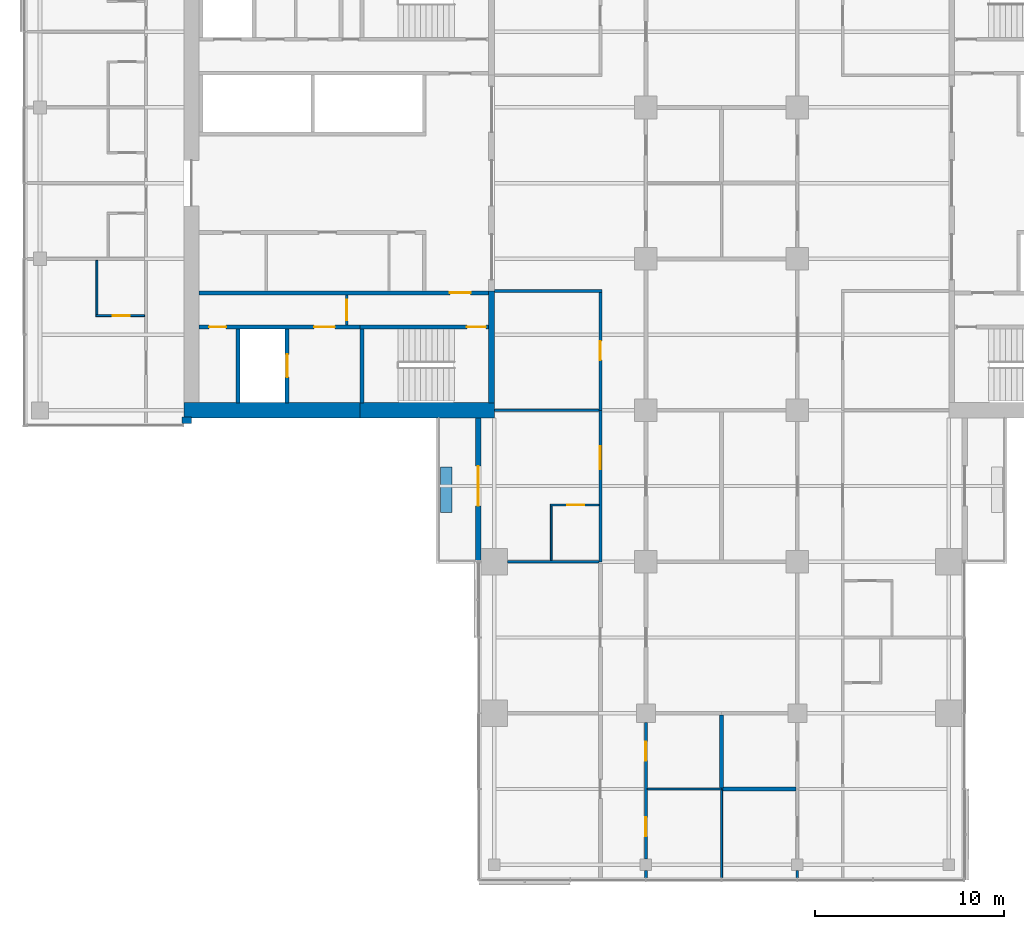
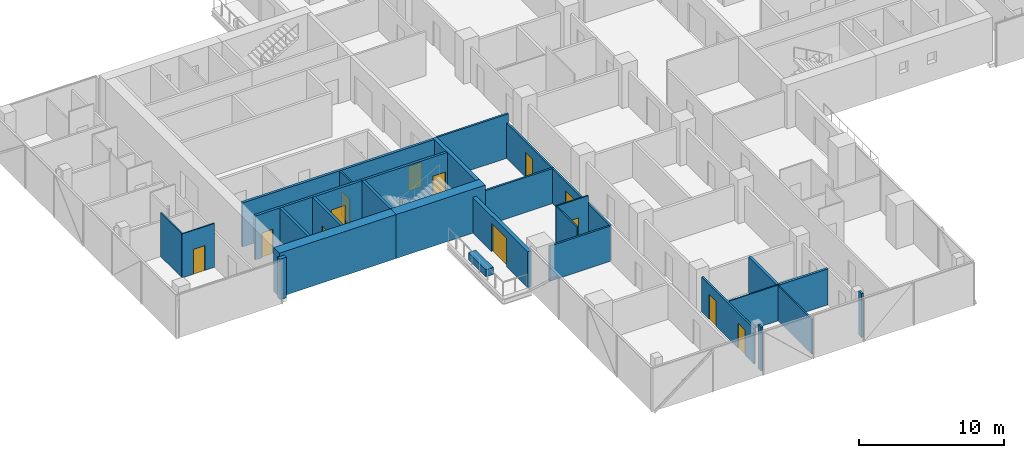
# One storey, part 15 of 27: 29 walls, 13 doors, 13 openings.
"""IFC4 building model written with IfcOpenShell, lengths in metres."""

from ifc_helpers import new_model, si_unit, direction, frame, frame_2d, origin, place, context, subcontext, project, spatial, rectangle, extrude, material, layer, layer_set, constituent, constituent_set, type_object, element, fill, save


model = new_model("IFC4")

# Units and contexts
model_context = context("Model", 3, precision=1e-05, world=origin(), true_north=direction((0.0, 1.0)))
body_context = subcontext(model_context, "Body", "Model", "MODEL_VIEW")
ifc_project = project(units=[si_unit("LENGTHUNIT", "METRE"), si_unit("AREAUNIT", "SQUARE_METRE"), si_unit("VOLUMEUNIT", "CUBIC_METRE"), si_unit("PLANEANGLEUNIT", "RADIAN"), si_unit("MASSUNIT", "GRAM", prefix="KILO")], contexts=[model_context])

# Site, building, storey
site_placement = place(None, origin())
site = spatial("IfcSite", under=ifc_project, at=site_placement, CompositionType="ELEMENT")
building_placement = place(site_placement, origin())
building = spatial("IfcBuilding", under=site, at=building_placement, Name="Crosswind Convention Tower", CompositionType="ELEMENT")
storey_placement = place(building_placement, frame((0.0, 0.0, 86.800048828125)))
storey = spatial("IfcBuildingStorey", under=building, at=storey_placement, Name="L16", CompositionType="ELEMENT", Elevation=86.800048828125)

# Walls
ifc_material_1 = material(Name="Concrete blockwork", Category="masonry")
ifc_layer_1 = layer(ifc_material_1, 0.199951171875)
ifc_layer_set_1 = layer_set([ifc_layer_1], Name="COMPARTMENT WALL 200")
wall_type_1 = type_object("IfcWallType", Name="COMPARTMENT WALL 200", PredefinedType="SOLIDWALL", material=ifc_layer_set_1)
wall_1_placement = place(storey_placement, frame((125.0, 68.0, 0.0), z_axis=(0.0, 0.0, 1.0), x_axis=(1.0, 0.0, 0.0)))
element("IfcWall", 1, at=wall_1_placement, inside=storey, type_object=wall_type_1, Name="Compartment Wall 2", PredefinedType="SOLIDWALL", context=body_context, shape_type="SweptSolid", body=[
    extrude(rectangle(XDim=3.925048828125, YDim=0.199951171875, at=frame_2d((1.96240234375, 0.0))), origin(), (0.0, 0.0, 1.0), 3.013671875),
])
wall_2_placement = place(storey_placement, frame((125.0, 68.050048828125, 0.0), z_axis=(0.0, 0.0, 1.0), x_axis=(0.0, 1.0, 0.0)))
element("IfcWall", 2, at=wall_2_placement, inside=storey, type_object=wall_type_1, Name="Compartment Wall 95", PredefinedType="SOLIDWALL", context=body_context, shape_type="SweptSolid", body=[
    extrude(rectangle(XDim=3.849853515625, YDim=0.199951171875, at=frame_2d((1.9248046875, 0.0))), origin(), (0.0, 0.0, 1.0), 3.013671875),
])
ifc_material_2 = material(Name="Plasterboard partition", Category="gypsum")
ifc_layer_2 = layer(ifc_material_2, 0.14990234375)
ifc_layer_set_2 = layer_set([ifc_layer_2], Name="CORRIDOR WALL 150")
wall_type_2 = type_object("IfcWallType", Name="CORRIDOR WALL 150", PredefinedType="PARTITIONING", material=ifc_layer_set_2)
wall_3_placement = place(storey_placement, frame((113.0, 94.300048828125, 0.0), z_axis=(0.0, 0.0, 1.0), x_axis=(1.0, 0.0, 0.0)))
element("IfcWall", 3, at=wall_3_placement, inside=storey, type_object=wall_type_2, Name="Corridor Wall 18", PredefinedType="PARTITIONING", context=body_context, shape_type="SweptSolid", body=[
    extrude(rectangle(XDim=5.675048828125, YDim=0.14990234375, at=frame_2d((2.83740234375, 0.0))), origin(), (0.0, 0.0, 1.0), 3.699951171875),
])

# Wall, opening, door
wall_4_placement = place(storey_placement, frame((118.60009765625, 88.0, 0.0), z_axis=(0.0, 0.0, 1.0), x_axis=(0.0, 1.0, 0.0)))
wall_4 = element("IfcWall", 4, at=wall_4_placement, inside=storey, type_object=wall_type_2, Name="Corridor Wall 80", PredefinedType="PARTITIONING", context=body_context, shape_type="SweptSolid", body=[
    extrude(rectangle(XDim=6.22509765625, YDim=0.14990234375, at=frame_2d((3.112548828125, 0.0))), origin(), (0.0, 0.0, 1.0), 2.956298828125),
])
opening_1_placement = place(wall_4_placement, frame((2.64990234375, 0.0, 0.0)))
opening_1 = element("IfcOpeningElement", 5, at=opening_1_placement, cuts=wall_4, Name="Opening 16.004", PredefinedType="OPENING", context=body_context, shape_type="SweptSolid", body=[
    extrude(rectangle(XDim=1.0, YDim=2.10009765625, at=frame_2d((0.5, 1.050048828125))), frame((0.0, 0.0849609375, 0.0), z_axis=(0.0, -1.0, 0.0), x_axis=(1.0, 0.0, 0.0)), (0.0, 0.0, 1.0), 0.169921875),
])
ifc_material_3 = material(Name="Timber fire door", Category="wood")
door_type_1 = type_object("IfcDoorType", Name="SERVICE ROOM DOOR 1000X2100", OperationType="NOTDEFINED", PredefinedType="DOOR", material=ifc_material_3)
door_1_placement = place(opening_1_placement, origin())
door_1 = element("IfcDoor", 6, at=door_1_placement, inside=storey, type_object=door_type_1, Name="Door 16.004", ObjectType="D3", OperationType="SINGLE_SWING_RIGHT", OverallHeight=2.10009765625, OverallWidth=1.0, PredefinedType="DOOR", context=body_context, shape_type="SweptSolid", body=[
    extrude(rectangle(XDim=1.0, YDim=2.10009765625, at=frame_2d((0.5, 1.050048828125))), frame((0.0, 0.02490234375, 0.0), z_axis=(0.0, -1.0, 0.0), x_axis=(1.0, 0.0, 0.0)), (0.0, 0.0, 1.0), 0.050048828125),
])
fill(opening_1, door_1)

# Wall
wall_5_placement = place(storey_placement, frame((121.0, 63.300048828125, 0.0), z_axis=(0.0, 0.0, 1.0), x_axis=(0.0, 1.0, 0.0)))
element("IfcWall", 7, at=wall_5_placement, inside=storey, type_object=wall_type_2, Name="Corridor Wall 83", PredefinedType="PARTITIONING", context=body_context, shape_type="SweptSolid", body=[
    extrude(rectangle(XDim=0.39990234375, YDim=0.14990234375, at=frame_2d((0.199951171875, 0.0))), origin(), (0.0, 0.0, 1.0), 3.699951171875),
])

# Wall, openings, doors
wall_6_placement = place(storey_placement, frame((121.0, 64.300048828125, 0.0), z_axis=(0.0, 0.0, 1.0), x_axis=(0.0, 1.0, 0.0)))
wall_6 = element("IfcWall", 8, at=wall_6_placement, inside=storey, type_object=wall_type_2, Name="Corridor Wall 84", PredefinedType="PARTITIONING", context=body_context, shape_type="SweptSolid", body=[
    extrude(rectangle(XDim=7.199951171875, YDim=0.14990234375, at=frame_2d((3.60009765625, 0.0))), origin(), (0.0, 0.0, 1.0), 2.959716796875),
])
opening_2_placement = place(wall_6_placement, frame((1.199951171875, 0.0, 0.0)))
opening_2 = element("IfcOpeningElement", 9, at=opening_2_placement, cuts=wall_6, Name="Opening 16.050", PredefinedType="OPENING", context=body_context, shape_type="SweptSolid", body=[
    extrude(rectangle(XDim=1.0, YDim=2.10009765625, at=frame_2d((0.5, 1.050048828125))), frame((0.0, 0.0849609375, 0.0), z_axis=(0.0, -1.0, 0.0), x_axis=(1.0, 0.0, 0.0)), (0.0, 0.0, 1.0), 0.169921875),
])
opening_3_placement = place(wall_6_placement, frame((5.199951171875, 0.0, 0.0)))
opening_3 = element("IfcOpeningElement", 10, at=opening_3_placement, cuts=wall_6, Name="Opening 16.051", PredefinedType="OPENING", context=body_context, shape_type="SweptSolid", body=[
    extrude(rectangle(XDim=1.0, YDim=2.10009765625, at=frame_2d((0.5, 1.050048828125))), frame((0.0, 0.0849609375, 0.0), z_axis=(0.0, -1.0, 0.0), x_axis=(1.0, 0.0, 0.0)), (0.0, 0.0, 1.0), 0.169921875),
])
door_2_placement = place(opening_2_placement, frame((1.0, 0.0, 0.0), z_axis=(0.0, 0.0, 1.0), x_axis=(-1.0, 0.0, 0.0)))
door_2 = element("IfcDoor", 11, at=door_2_placement, inside=storey, type_object=door_type_1, Name="Door 16.050", ObjectType="D3", OperationType="SINGLE_SWING_RIGHT", OverallHeight=2.10009765625, OverallWidth=1.0, PredefinedType="DOOR", context=body_context, shape_type="SweptSolid", body=[
    extrude(rectangle(XDim=1.0, YDim=2.10009765625, at=frame_2d((0.5, 1.050048828125))), frame((0.0, 0.02490234375, 0.0), z_axis=(0.0, -1.0, 0.0), x_axis=(1.0, 0.0, 0.0)), (0.0, 0.0, 1.0), 0.050048828125),
])
fill(opening_2, door_2)
door_3_placement = place(opening_3_placement, frame((1.0, 0.0, 0.0), z_axis=(0.0, 0.0, 1.0), x_axis=(-1.0, 0.0, 0.0)))
door_3 = element("IfcDoor", 12, at=door_3_placement, inside=storey, type_object=door_type_1, Name="Door 16.051", ObjectType="D3", OperationType="SINGLE_SWING_LEFT", OverallHeight=2.10009765625, OverallWidth=1.0, PredefinedType="DOOR", context=body_context, shape_type="SweptSolid", body=[
    extrude(rectangle(XDim=1.0, YDim=2.10009765625, at=frame_2d((0.5, 1.050048828125))), frame((0.0, 0.02490234375, 0.0), z_axis=(0.0, -1.0, 0.0), x_axis=(1.0, 0.0, 0.0)), (0.0, 0.0, 1.0), 0.050048828125),
])
fill(opening_3, door_3)

# Walls
wall_7_placement = place(storey_placement, frame((129.0, 63.300048828125, 0.0), z_axis=(0.0, 0.0, 1.0), x_axis=(0.0, 1.0, 0.0)))
element("IfcWall", 13, at=wall_7_placement, inside=storey, type_object=wall_type_2, Name="Corridor Wall 101", PredefinedType="PARTITIONING", context=body_context, shape_type="SweptSolid", body=[
    extrude(rectangle(XDim=0.39990234375, YDim=0.14990234375, at=frame_2d((0.199951171875, 0.0))), origin(), (0.0, 0.0, 1.0), 3.699951171875),
])
ifc_material_4 = material(Name="Concrete C50/60", Category="concrete")
ifc_layer_3 = layer(ifc_material_4, 0.300048828125)
ifc_layer_set_3 = layer_set([ifc_layer_3], Name="Concrete C50/60")
wall_type_3 = type_object("IfcWallType", Name="Concrete inner core wall 300", PredefinedType="SHEAR", material=ifc_layer_set_3)
wall_8_placement = place(storey_placement, frame((112.85009765625, 94.300048828125, 0.0), z_axis=(0.0, 0.0, 1.0), x_axis=(0.0, -1.0, 0.0)))
element("IfcWall", 14, at=wall_8_placement, inside=storey, type_object=wall_type_3, Name="Wall EP W L16", PredefinedType="SHEAR", context=body_context, shape_type="SweptSolid", body=[
    extrude(rectangle(XDim=5.900146484375, YDim=0.300048828125, at=frame_2d((2.9501953125, 0.0))), origin(), (0.0, 0.0, 1.0), 3.699951171875),
])

# Wall, opening, door
ifc_layer_4 = layer(ifc_material_4, 0.199951171875)
ifc_layer_set_4 = layer_set([ifc_layer_4], Name="Concrete C50/60")
wall_type_4 = type_object("IfcWallType", Name="Concrete shaft and stair wall 200", PredefinedType="SHEAR", material=ifc_layer_set_4)
wall_9_placement = place(storey_placement, frame((112.699951171875, 94.199951171875, 0.0), z_axis=(0.0, 0.0, 1.0), x_axis=(-1.0, 0.0, 0.0)))
wall_9 = element("IfcWall", 15, at=wall_9_placement, inside=storey, type_object=wall_type_4, Name="Wall HP W L16", PredefinedType="SHEAR", context=body_context, shape_type="SweptSolid", body=[
    extrude(rectangle(XDim=15.300048828125, YDim=0.199951171875, at=frame_2d((7.64990234375, 0.0))), origin(), (0.0, 0.0, 1.0), 3.699951171875),
])
opening_4_placement = place(wall_9_placement, frame((0.949951171875, 0.0, 0.0)))
opening_4 = element("IfcOpeningElement", 16, at=opening_4_placement, cuts=wall_9, Name="Opening D104", PredefinedType="OPENING", context=body_context, shape_type="SweptSolid", body=[
    extrude(rectangle(XDim=1.10009765625, YDim=2.10009765625, at=frame_2d((0.550048828125, 1.050048828125))), frame((0.0, 0.10986328125, 0.0), z_axis=(0.0, -1.0, 0.0), x_axis=(1.0, 0.0, 0.0)), (0.0, 0.0, 1.0), 0.219970703125),
])
ifc_material_5 = material(Name="Steel fire door", Category="steel")
door_type_2 = type_object("IfcDoorType", Name="Fire-rated single door 1100x2100", OperationType="NOTDEFINED", PredefinedType="DOOR", material=ifc_material_5)
door_4_placement = place(opening_4_placement, origin())
door_4 = element("IfcDoor", 17, at=door_4_placement, inside=storey, type_object=door_type_2, Name="Corridor door L16", ObjectType="D104", OperationType="SINGLE_SWING_LEFT", OverallHeight=2.10009765625, OverallWidth=1.10009765625, PredefinedType="DOOR", context=body_context, shape_type="SweptSolid", body=[
    extrude(rectangle(XDim=1.10009765625, YDim=2.10009765625, at=frame_2d((0.550048828125, 1.050048828125))), frame((0.0, 0.02490234375, 0.0), z_axis=(0.0, -1.0, 0.0), x_axis=(1.0, 0.0, 0.0)), (0.0, 0.0, 1.0), 0.050048828125),
])
fill(opening_4, door_4)

# Wall
wall_10_placement = place(storey_placement, frame((106.0, 92.300048828125, 0.0), z_axis=(0.0, 0.0, 1.0), x_axis=(0.0, -1.0, 0.0)))
element("IfcWall", 18, at=wall_10_placement, inside=storey, type_object=wall_type_4, Name="Wall PSE W L16", PredefinedType="SHEAR", context=body_context, shape_type="SweptSolid", body=[
    extrude(rectangle(XDim=3.900146484375, YDim=0.199951171875, at=frame_2d((1.9501953125, 0.0))), origin(), (0.0, 0.0, 1.0), 3.699951171875),
])

# Wall, opening, door
wall_11_placement = place(storey_placement, frame((102.050048828125, 92.300048828125, 0.0), z_axis=(0.0, 0.0, 1.0), x_axis=(0.0, -1.0, 0.0)))
wall_11 = element("IfcWall", 19, at=wall_11_placement, inside=storey, type_object=wall_type_4, Name="Wall PFLW W L16", PredefinedType="SHEAR", context=body_context, shape_type="SweptSolid", body=[
    extrude(rectangle(XDim=3.900146484375, YDim=0.199951171875, at=frame_2d((1.9501953125, 0.0))), origin(), (0.0, 0.0, 1.0), 3.699951171875),
])
opening_5_placement = place(wall_11_placement, frame((1.35009765625, 0.0, 0.0)))
opening_5 = element("IfcOpeningElement", 20, at=opening_5_placement, cuts=wall_11, Name="Opening LD1", PredefinedType="OPENING", context=body_context, shape_type="SweptSolid", body=[
    extrude(rectangle(XDim=1.199951171875, YDim=2.10009765625, at=frame_2d((0.60009765625, 1.050048828125))), frame((0.0, 0.10986328125, 0.0), z_axis=(0.0, -1.0, 0.0), x_axis=(1.0, 0.0, 0.0)), (0.0, 0.0, 1.0), 0.219970703125),
])
ifc_material_6 = material(Name="Stainless steel", Category="steel")
door_type_3 = type_object("IfcDoorType", Name="Lift landing door 1200x2100", OperationType="DOUBLE_DOOR_SLIDING", PredefinedType="DOOR", material=ifc_material_6)
door_5_placement = place(opening_5_placement, origin())
door_5 = element("IfcDoor", 21, at=door_5_placement, inside=storey, type_object=door_type_3, Name="Landing door FF2 L16", ObjectType="LD1", OperationType="DOUBLE_DOOR_SLIDING", OverallHeight=2.10009765625, OverallWidth=1.199951171875, PredefinedType="DOOR", context=body_context, shape_type="SweptSolid", body=[
    extrude(rectangle(XDim=1.199951171875, YDim=2.10009765625, at=frame_2d((0.60009765625, 1.050048828125))), frame((0.0, 0.02490234375, 0.0), z_axis=(0.0, -1.0, 0.0), x_axis=(1.0, 0.0, 0.0)), (0.0, 0.0, 1.0), 0.050048828125),
])
fill(opening_5, door_5)

# Wall
wall_12_placement = place(storey_placement, frame((99.449951171875, 92.300048828125, 0.0), z_axis=(0.0, 0.0, 1.0), x_axis=(0.0, -1.0, 0.0)))
element("IfcWall", 22, at=wall_12_placement, inside=storey, type_object=wall_type_4, Name="Wall PFSE W L16", PredefinedType="SHEAR", context=body_context, shape_type="SweptSolid", body=[
    extrude(rectangle(XDim=3.900146484375, YDim=0.199951171875, at=frame_2d((1.9501953125, 0.0))), origin(), (0.0, 0.0, 1.0), 3.699951171875),
])

# Wall, opening, door
wall_13_placement = place(storey_placement, frame((112.699951171875, 92.39990234375, 0.0), z_axis=(0.0, 0.0, 1.0), x_axis=(-1.0, 0.0, 0.0)))
wall_13 = element("IfcWall", 23, at=wall_13_placement, inside=storey, type_object=wall_type_4, Name="Wall PCW W L16", PredefinedType="SHEAR", context=body_context, shape_type="SweptSolid", body=[
    extrude(rectangle(XDim=6.800048828125, YDim=0.199951171875, at=frame_2d((3.39990234375, 0.0))), origin(), (0.0, 0.0, 1.0), 3.699951171875),
])
opening_6_placement = place(wall_13_placement, frame((0.14990234375, 0.0, 0.0)))
opening_6 = element("IfcOpeningElement", 24, at=opening_6_placement, cuts=wall_13, Name="Opening D103", PredefinedType="OPENING", context=body_context, shape_type="SweptSolid", body=[
    extrude(rectangle(XDim=1.0, YDim=2.10009765625, at=frame_2d((0.5, 1.050048828125))), frame((0.0, 0.10986328125, 0.0), z_axis=(0.0, -1.0, 0.0), x_axis=(1.0, 0.0, 0.0)), (0.0, 0.0, 1.0), 0.219970703125),
])
door_type_4 = type_object("IfcDoorType", Name="Fire-rated single door 1000x2100", OperationType="NOTDEFINED", PredefinedType="DOOR", material=ifc_material_5)
door_6_placement = place(opening_6_placement, origin())
door_6 = element("IfcDoor", 25, at=door_6_placement, inside=storey, type_object=door_type_4, Name="Stair ST3 door L16", ObjectType="D103", OperationType="SINGLE_SWING_LEFT", OverallHeight=2.10009765625, OverallWidth=1.0, PredefinedType="DOOR", context=body_context, shape_type="SweptSolid", body=[
    extrude(rectangle(XDim=1.0, YDim=2.10009765625, at=frame_2d((0.5, 1.050048828125))), frame((0.0, 0.02490234375, 0.0), z_axis=(0.0, -1.0, 0.0), x_axis=(1.0, 0.0, 0.0)), (0.0, 0.0, 1.0), 0.050048828125),
])
fill(opening_6, door_6)

# Wall, openings, doors
wall_14_placement = place(storey_placement, frame((105.89990234375, 92.39990234375, 0.0), z_axis=(0.0, 0.0, 1.0), x_axis=(-1.0, 0.0, 0.0)))
wall_14 = element("IfcWall", 26, at=wall_14_placement, inside=storey, type_object=wall_type_4, Name="Wall PCX W L16", PredefinedType="SHEAR", context=body_context, shape_type="SweptSolid", body=[
    extrude(rectangle(XDim=8.5, YDim=0.199951171875, at=frame_2d((4.25, 0.0))), origin(), (0.0, 0.0, 1.0), 3.699951171875),
])
opening_7_placement = place(wall_14_placement, frame((1.324951171875, 0.0, 0.0)))
opening_7 = element("IfcOpeningElement", 27, at=opening_7_placement, cuts=wall_14, Name="Opening D104", PredefinedType="OPENING", context=body_context, shape_type="SweptSolid", body=[
    extrude(rectangle(XDim=1.10009765625, YDim=2.10009765625, at=frame_2d((0.550048828125, 1.050048828125))), frame((0.0, 0.10986328125, 0.0), z_axis=(0.0, -1.0, 0.0), x_axis=(1.0, 0.0, 0.0)), (0.0, 0.0, 1.0), 0.219970703125),
])
opening_8_placement = place(wall_14_placement, frame((7.074951171875, 0.0, 0.0)))
opening_8 = element("IfcOpeningElement", 28, at=opening_8_placement, cuts=wall_14, Name="Opening D106", PredefinedType="OPENING", context=body_context, shape_type="SweptSolid", body=[
    extrude(rectangle(XDim=0.89990234375, YDim=2.10009765625, at=frame_2d((0.449951171875, 1.050048828125))), frame((0.0, 0.10986328125, 0.0), z_axis=(0.0, -1.0, 0.0), x_axis=(1.0, 0.0, 0.0)), (0.0, 0.0, 1.0), 0.219970703125),
])
door_7_placement = place(opening_7_placement, origin())
door_7 = element("IfcDoor", 29, at=door_7_placement, inside=storey, type_object=door_type_2, Name="Fire-fighting lobby FF2 door L16", ObjectType="D104", OperationType="SINGLE_SWING_RIGHT", OverallHeight=2.10009765625, OverallWidth=1.10009765625, PredefinedType="DOOR", context=body_context, shape_type="SweptSolid", body=[
    extrude(rectangle(XDim=1.10009765625, YDim=2.10009765625, at=frame_2d((0.550048828125, 1.050048828125))), frame((0.0, 0.02490234375, 0.0), z_axis=(0.0, -1.0, 0.0), x_axis=(1.0, 0.0, 0.0)), (0.0, 0.0, 1.0), 0.050048828125),
])
fill(opening_7, door_7)
ifc_material_7 = material(Name="Timber door", Category="wood")
door_type_5 = type_object("IfcDoorType", Name="Single leaf door 900x2100", OperationType="NOTDEFINED", PredefinedType="DOOR", material=ifc_material_7)
door_8_placement = place(opening_8_placement, origin())
door_8 = element("IfcDoor", 30, at=door_8_placement, inside=storey, type_object=door_type_5, Name="Door to electrical room L16", ObjectType="D106", OperationType="SINGLE_SWING_RIGHT", OverallHeight=2.10009765625, OverallWidth=0.89990234375, PredefinedType="DOOR", context=body_context, shape_type="SweptSolid", body=[
    extrude(rectangle(XDim=0.89990234375, YDim=2.10009765625, at=frame_2d((0.449951171875, 1.050048828125))), frame((0.0, 0.02490234375, 0.0), z_axis=(0.0, -1.0, 0.0), x_axis=(1.0, 0.0, 0.0)), (0.0, 0.0, 1.0), 0.050048828125),
])
fill(opening_8, door_8)

# Wall, opening, door
ifc_material_8 = material(Name="Gypsum plasterboard partition", Category="gypsum")
ifc_layer_5 = layer(ifc_material_8, 0.125)
ifc_layer_set_5 = layer_set([ifc_layer_5], Name="Drywall partition wall 125")
wall_type_5 = type_object("IfcWallType", Name="Drywall partition wall 125", PredefinedType="PARTITIONING", material=ifc_layer_set_5)
wall_15_placement = place(storey_placement, frame((105.199951171875, 94.10009765625, 0.0), z_axis=(0.0, 0.0, 1.0), x_axis=(0.0, -1.0, 0.0)))
wall_15 = element("IfcWall", 31, at=wall_15_placement, inside=storey, type_object=wall_type_5, Name="Wall PXC1 W L16", PredefinedType="PARTITIONING", context=body_context, shape_type="SweptSolid", body=[
    extrude(rectangle(XDim=1.60009765625, YDim=0.125, at=frame_2d((0.800048828125, 0.0))), origin(), (0.0, 0.0, 1.0), 3.699951171875),
])
opening_9_placement = place(wall_15_placement, frame((0.25, 0.0, 0.0)))
opening_9 = element("IfcOpeningElement", 32, at=opening_9_placement, cuts=wall_15, Name="Opening D104", PredefinedType="OPENING", context=body_context, shape_type="SweptSolid", body=[
    extrude(rectangle(XDim=1.10009765625, YDim=2.10009765625, at=frame_2d((0.550048828125, 1.050048828125))), frame((0.0, 0.072509765625, 0.0), z_axis=(0.0, -1.0, 0.0), x_axis=(1.0, 0.0, 0.0)), (0.0, 0.0, 1.0), 0.14501953125),
])
door_9_placement = place(opening_9_placement, origin())
door_9 = element("IfcDoor", 33, at=door_9_placement, inside=storey, type_object=door_type_2, Name="Corridor smoke door L16", ObjectType="D104", OperationType="SINGLE_SWING_RIGHT", OverallHeight=2.10009765625, OverallWidth=1.10009765625, PredefinedType="DOOR", context=body_context, shape_type="SweptSolid", body=[
    extrude(rectangle(XDim=1.10009765625, YDim=2.10009765625, at=frame_2d((0.550048828125, 1.050048828125))), frame((0.0, 0.02490234375, 0.0), z_axis=(0.0, -1.0, 0.0), x_axis=(1.0, 0.0, 0.0)), (0.0, 0.0, 1.0), 0.050048828125),
])
fill(opening_9, door_9)

# Walls
ifc_material_9 = material(Name="Acoustic plasterboard partition", Category="gypsum")
ifc_layer_6 = layer(ifc_material_9, 0.14990234375)
ifc_layer_set_6 = layer_set([ifc_layer_6], Name="GUEST ROOM WALL 150")
wall_type_6 = type_object("IfcWallType", Name="GUEST ROOM WALL 150", PredefinedType="PARTITIONING", material=ifc_layer_set_6)
wall_16_placement = place(storey_placement, frame((113.699951171875, 80.0, 0.0), z_axis=(0.0, 0.0, 1.0), x_axis=(1.0, 0.0, 0.0)))
element("IfcWall", 34, at=wall_16_placement, inside=storey, type_object=wall_type_6, Name="Guest Room Wall 9", PredefinedType="PARTITIONING", context=body_context, shape_type="SweptSolid", body=[
    extrude(rectangle(XDim=4.824951171875, YDim=0.14990234375, at=frame_2d((2.41259765625, 0.0))), origin(), (0.0, 0.0, 1.0), 2.959716796875),
])
wall_17_placement = place(storey_placement, frame((113.0, 88.0, 0.0), z_axis=(0.0, 0.0, 1.0), x_axis=(1.0, 0.0, 0.0)))
element("IfcWall", 35, at=wall_17_placement, inside=storey, type_object=wall_type_6, Name="Guest Room Wall 12", PredefinedType="PARTITIONING", context=body_context, shape_type="SweptSolid", body=[
    extrude(rectangle(XDim=5.52490234375, YDim=0.14990234375, at=frame_2d((2.762451171875, 0.0))), origin(), (0.0, 0.0, 1.0), 2.956298828125),
])

# Wall, opening, door
wall_18_placement = place(storey_placement, frame((118.60009765625, 80.0, 0.0), z_axis=(0.0, 0.0, 1.0), x_axis=(0.0, 1.0, 0.0)))
wall_18 = element("IfcWall", 36, at=wall_18_placement, inside=storey, type_object=wall_type_6, Name="Guest Room Wall 79", PredefinedType="PARTITIONING", context=body_context, shape_type="SweptSolid", body=[
    extrude(rectangle(XDim=8.0, YDim=0.14990234375, at=frame_2d((4.0, 0.0))), origin(), (0.0, 0.0, 1.0), 2.956298828125),
])
opening_10_placement = place(wall_18_placement, frame((4.89990234375, 0.0, 0.0)))
opening_10 = element("IfcOpeningElement", 37, at=opening_10_placement, cuts=wall_18, Name="Opening 16.024", PredefinedType="OPENING", context=body_context, shape_type="SweptSolid", body=[
    extrude(rectangle(XDim=1.199951171875, YDim=2.199951171875, at=frame_2d((0.60009765625, 1.10009765625))), frame((0.0, 0.0849609375, 0.0), z_axis=(0.0, -1.0, 0.0), x_axis=(1.0, 0.0, 0.0)), (0.0, 0.0, 1.0), 0.169921875),
])
door_type_6 = type_object("IfcDoorType", Name="SUITE DOOR 1200X2200", OperationType="DOUBLE_DOOR_SINGLE_SWING", PredefinedType="DOOR", material=ifc_material_3)
door_10_placement = place(opening_10_placement, origin())
door_10 = element("IfcDoor", 38, at=door_10_placement, inside=storey, type_object=door_type_6, Name="Door 16.024", ObjectType="D14", OperationType="DOUBLE_DOOR_SINGLE_SWING", OverallHeight=2.199951171875, OverallWidth=1.199951171875, PredefinedType="DOOR", context=body_context, shape_type="SweptSolid", body=[
    extrude(rectangle(XDim=1.199951171875, YDim=2.199951171875, at=frame_2d((0.60009765625, 1.10009765625))), frame((0.0, 0.02490234375, 0.0), z_axis=(0.0, -1.0, 0.0), x_axis=(1.0, 0.0, 0.0)), (0.0, 0.0, 1.0), 0.050048828125),
])
fill(opening_10, door_10)

# Walls
ifc_layer_7 = layer(ifc_material_2, 0.10009765625)
ifc_layer_set_7 = layer_set([ifc_layer_7], Name="PARTITION 100")
wall_type_7 = type_object("IfcWallType", Name="PARTITION 100", PredefinedType="PARTITIONING", material=ifc_layer_set_7)
wall_19_placement = place(storey_placement, frame((121.074951171875, 68.0, 0.0), z_axis=(0.0, 0.0, 1.0), x_axis=(1.0, 0.0, 0.0)))
element("IfcWall", 39, at=wall_19_placement, inside=storey, type_object=wall_type_7, Name="Partition 1", PredefinedType="PARTITIONING", context=body_context, shape_type="SweptSolid", body=[
    extrude(rectangle(XDim=3.925048828125, YDim=0.10009765625, at=frame_2d((1.96240234375, 0.0))), origin(), (0.0, 0.0, 1.0), 3.013671875),
])
wall_20_placement = place(storey_placement, frame((125.0, 63.300048828125, 0.0), z_axis=(0.0, 0.0, 1.0), x_axis=(0.0, 1.0, 0.0)))
element("IfcWall", 40, at=wall_20_placement, inside=storey, type_object=wall_type_7, Name="Partition 94", PredefinedType="PARTITIONING", context=body_context, shape_type="SweptSolid", body=[
    extrude(rectangle(XDim=4.64990234375, YDim=0.10009765625, at=frame_2d((2.324951171875, 0.0))), origin(), (0.0, 0.0, 1.0), 2.962646484375),
])
ifc_material_10 = material(Name="Concrete C30/37", Category="concrete")
ifc_layer_8 = layer(ifc_material_10, 0.60009765625)
ifc_layer_set_8 = layer_set([ifc_layer_8], Name="Concrete C30/37")
wall_type_8 = type_object("IfcWallType", Name="PLANTER BOX WALL 600", PredefinedType="SOLIDWALL", material=ifc_layer_set_8)
wall_21_placement = place(storey_placement, frame((110.449951171875, 85.0, 0.0), z_axis=(0.0, 0.0, 1.0), x_axis=(0.0, -1.0, 0.0)))
element("IfcWall", 41, at=wall_21_placement, inside=storey, type_object=wall_type_8, Name="PLANTER L16 S-W.1-1", PredefinedType="SOLIDWALL", context=body_context, shape_type="SweptSolid", body=[
    extrude(rectangle(XDim=2.39990234375, YDim=0.60009765625, at=frame_2d((1.199951171875, 0.0))), origin(), (0.0, 0.0, 1.0), 0.599853515625),
])
ifc_material_11 = material(Name="Terracotta rainscreen", Category="ceramic")
ifc_layer_9 = layer(ifc_material_11, 0.02001953125)
ifc_material_12 = material(Name="Mineral wool insulation", Category="insulation")
ifc_layer_10 = layer(ifc_material_12, 0.10009765625)
ifc_layer_11 = layer(ifc_material_1, 0.236083984375)
ifc_layer_set_9 = layer_set([ifc_layer_9, ifc_layer_10, ifc_layer_11], Name="TERRACOTTA CORNER INFILL WALL 356")
wall_type_9 = type_object("IfcWallType", Name="TERRACOTTA CORNER INFILL WALL 356", PredefinedType="SOLIDWALL", material=ifc_layer_set_9)
wall_22_placement = place(storey_placement, frame((96.4951171875, 87.47802734375, 0.0), z_axis=(0.0, 0.0, 1.0), x_axis=(1.0, 0.0, 0.0)))
element("IfcWall", 42, at=wall_22_placement, inside=storey, type_object=wall_type_9, Name="Core corner infill wall L16 3", PredefinedType="SOLIDWALL", context=body_context, shape_type="SweptSolid", body=[
    extrude(rectangle(XDim=0.5048828125, YDim=0.35595703125, at=frame_2d((0.25244140625, 0.0))), origin(), (0.0, 0.0, 1.0), 3.419921875),
])

# Wall, opening, door
ifc_layer_12 = layer(ifc_material_11, 0.02001953125)
ifc_layer_13 = layer(ifc_material_12, 0.10009765625)
ifc_layer_14 = layer(ifc_material_1, 0.179931640625)
ifc_layer_set_10 = layer_set([ifc_layer_12, ifc_layer_13, ifc_layer_14], Name="TERRACOTTA INFILL WALL 300")
wall_type_10 = type_object("IfcWallType", Name="TERRACOTTA INFILL WALL 300", PredefinedType="SOLIDWALL", material=ifc_layer_set_10)
wall_23_placement = place(storey_placement, frame((112.14990234375, 87.60009765625, 0.0), z_axis=(0.0, 0.0, 1.0), x_axis=(0.0, -1.0, 0.0)))
wall_23 = element("IfcWall", 43, at=wall_23_placement, inside=storey, type_object=wall_type_10, Name="Notch front wall L16 S-W.1-1", PredefinedType="SOLIDWALL", context=body_context, shape_type="SweptSolid", body=[
    extrude(rectangle(XDim=7.567626953125, YDim=0.300048828125, at=frame_2d((3.78369140625, 0.0))), origin(), (0.0, 0.0, 1.0), 3.013671875),
])
opening_11_placement = place(wall_23_placement, frame((2.550048828125, 0.0, 0.0)))
opening_11 = element("IfcOpeningElement", 44, at=opening_11_placement, cuts=wall_23, Name="Opening D141", PredefinedType="OPENING", context=body_context, shape_type="SweptSolid", body=[
    extrude(rectangle(XDim=2.10009765625, YDim=2.39990234375, at=frame_2d((1.050048828125, 1.199951171875))), frame((0.0, 0.159912109375, 0.0), z_axis=(0.0, -1.0, 0.0), x_axis=(1.0, 0.0, 0.0)), (0.0, 0.0, 1.0), 0.320068359375),
])
ifc_material_13 = material(Name="Aluminium glazed door", Category="aluminium")
door_type_7 = type_object("IfcDoorType", Name="BALCONY SLIDING DOOR 2100X2400", OperationType="SLIDING_TO_LEFT", PredefinedType="DOOR", material=ifc_material_13)
door_11_placement = place(opening_11_placement, frame((2.10009765625, 0.0, 0.0), z_axis=(0.0, 0.0, 1.0), x_axis=(-1.0, 0.0, 0.0)))
door_11 = element("IfcDoor", 45, at=door_11_placement, inside=storey, type_object=door_type_7, Name="D141 balcony door L16 S-W.1-1", ObjectType="D141", OperationType="SLIDING_TO_LEFT", OverallHeight=2.39990234375, OverallWidth=2.10009765625, PredefinedType="DOOR", context=body_context, shape_type="SweptSolid", body=[
    extrude(rectangle(XDim=2.10009765625, YDim=2.39990234375, at=frame_2d((1.050048828125, 1.199951171875))), frame((0.0, 0.02490234375, 0.0), z_axis=(0.0, -1.0, 0.0), x_axis=(1.0, 0.0, 0.0)), (0.0, 0.0, 1.0), 0.050048828125),
])
fill(opening_11, door_11)

# Walls
ifc_material_14 = material(Name="Concrete C60/75", Category="concrete")
ifc_constituent_1 = constituent(ifc_material_14, Name="Structure")
ifc_constituent_2 = constituent(ifc_material_11, Name="Facing")
ifc_constituent_set = constituent_set(constituents=[ifc_constituent_1, ifc_constituent_2], Name="Concrete C60/75, Terracotta rainscreen")
wall_type_11 = type_object("IfcWallType", Name="Terracotta rainscreen on concrete core wall 800", PredefinedType="SHEAR", material=ifc_constituent_set)
wall_24_placement = place(storey_placement, frame((113.0, 88.0, 0.0), z_axis=(0.0, 0.0, 1.0), x_axis=(-1.0, 0.0, 0.0)))
element("IfcWall", 46, at=wall_24_placement, inside=storey, type_object=wall_type_11, Name="Wall N1 W L16", PredefinedType="SHEAR", context=body_context, shape_type="SweptSolid", body=[
    extrude(rectangle(XDim=7.10009765625, YDim=0.800048828125, at=frame_2d((3.550048828125, 0.0))), origin(), (0.0, 0.0, 1.0), 3.699951171875),
])
wall_25_placement = place(storey_placement, frame((105.89990234375, 88.0, 0.0), z_axis=(0.0, 0.0, 1.0), x_axis=(-1.0, 0.0, 0.0)))
element("IfcWall", 47, at=wall_25_placement, inside=storey, type_object=wall_type_11, Name="Wall N2 W L16", PredefinedType="SHEAR", context=body_context, shape_type="SweptSolid", body=[
    extrude(rectangle(XDim=9.2998046875, YDim=0.800048828125, at=frame_2d((4.64990234375, 0.0))), origin(), (0.0, 0.0, 1.0), 3.699951171875),
])

# Wall, opening, door
ifc_material_15 = material(Name="Water-resistant plasterboard partition", Category="gypsum")
ifc_layer_15 = layer(ifc_material_15, 0.10009765625)
ifc_layer_set_11 = layer_set([ifc_layer_15], Name="WET ROOM PARTITION 100")
wall_type_12 = type_object("IfcWallType", Name="WET ROOM PARTITION 100", PredefinedType="PLUMBINGWALL", material=ifc_layer_set_11)
wall_26_placement = place(storey_placement, frame((115.949951171875, 83.0, 0.0), z_axis=(0.0, 0.0, 1.0), x_axis=(1.0, 0.0, 0.0)))
wall_26 = element("IfcWall", 48, at=wall_26_placement, inside=storey, type_object=wall_type_12, Name="Wet Room Partition 11", PredefinedType="PLUMBINGWALL", context=body_context, shape_type="SweptSolid", body=[
    extrude(rectangle(XDim=2.574951171875, YDim=0.10009765625, at=frame_2d((1.28759765625, 0.0))), origin(), (0.0, 0.0, 1.0), 3.699951171875),
])
opening_12_placement = place(wall_26_placement, frame((0.89990234375, 0.0, 0.0)))
opening_12 = element("IfcOpeningElement", 49, at=opening_12_placement, cuts=wall_26, Name="Opening 16.025", PredefinedType="OPENING", context=body_context, shape_type="SweptSolid", body=[
    extrude(rectangle(XDim=0.89990234375, YDim=2.10009765625, at=frame_2d((0.449951171875, 1.050048828125))), frame((0.0, 0.06005859375, 0.0), z_axis=(0.0, -1.0, 0.0), x_axis=(1.0, 0.0, 0.0)), (0.0, 0.0, 1.0), 0.1201171875),
])
door_type_8 = type_object("IfcDoorType", Name="EN-SUITE DOOR 900X2100", OperationType="NOTDEFINED", PredefinedType="DOOR", material=ifc_material_7)
door_12_placement = place(opening_12_placement, frame((0.89990234375, 0.0, 0.0), z_axis=(0.0, 0.0, 1.0), x_axis=(-1.0, 0.0, 0.0)))
door_12 = element("IfcDoor", 50, at=door_12_placement, inside=storey, type_object=door_type_8, Name="Door 16.025", ObjectType="D2", OperationType="SINGLE_SWING_LEFT", OverallHeight=2.10009765625, OverallWidth=0.89990234375, PredefinedType="DOOR", context=body_context, shape_type="SweptSolid", body=[
    extrude(rectangle(XDim=0.89990234375, YDim=2.10009765625, at=frame_2d((0.449951171875, 1.050048828125))), frame((0.0, 0.02490234375, 0.0), z_axis=(0.0, -1.0, 0.0), x_axis=(1.0, 0.0, 0.0)), (0.0, 0.0, 1.0), 0.050048828125),
])
fill(opening_12, door_12)

wall_27_placement = place(storey_placement, frame((91.949951171875, 93.0, 0.0), z_axis=(0.0, 0.0, 1.0), x_axis=(1.0, 0.0, 0.0)))
wall_27 = element("IfcWall", 51, at=wall_27_placement, inside=storey, type_object=wall_type_12, Name="Wet Room Partition 17", PredefinedType="PLUMBINGWALL", context=body_context, shape_type="SweptSolid", body=[
    extrude(rectangle(XDim=2.574951171875, YDim=0.10009765625, at=frame_2d((1.28759765625, 0.0))), origin(), (0.0, 0.0, 1.0), 3.699951171875),
])
opening_13_placement = place(wall_27_placement, frame((0.89990234375, 0.0, 0.0)))
opening_13 = element("IfcOpeningElement", 52, at=opening_13_placement, cuts=wall_27, Name="Opening 16.041", PredefinedType="OPENING", context=body_context, shape_type="SweptSolid", body=[
    extrude(rectangle(XDim=0.89990234375, YDim=2.10009765625, at=frame_2d((0.449951171875, 1.050048828125))), frame((0.0, 0.06005859375, 0.0), z_axis=(0.0, -1.0, 0.0), x_axis=(1.0, 0.0, 0.0)), (0.0, 0.0, 1.0), 0.1201171875),
])
door_13_placement = place(opening_13_placement, origin())
door_13 = element("IfcDoor", 53, at=door_13_placement, inside=storey, type_object=door_type_8, Name="Door 16.041", ObjectType="D2", OperationType="SINGLE_SWING_RIGHT", OverallHeight=2.10009765625, OverallWidth=0.89990234375, PredefinedType="DOOR", context=body_context, shape_type="SweptSolid", body=[
    extrude(rectangle(XDim=0.89990234375, YDim=2.10009765625, at=frame_2d((0.449951171875, 1.050048828125))), frame((0.0, 0.02490234375, 0.0), z_axis=(0.0, -1.0, 0.0), x_axis=(1.0, 0.0, 0.0)), (0.0, 0.0, 1.0), 0.050048828125),
])
fill(opening_13, door_13)

# Walls
for number, where, z_axis, x_axis, name in (
    (54, (92.0, 93.050048828125, 0.0), (0.0, 0.0, 1.0), (0.0, 1.0, 0.0), "Wet Room Partition 66"),
    (55, (116.0, 80.074951171875, 0.0), (0.0, 0.0, 1.0), (0.0, 1.0, 0.0), "Wet Room Partition 72"),
):
    element("IfcWall", number, at=place(storey_placement, frame(where, z_axis=z_axis, x_axis=x_axis)), inside=storey, type_object=wall_type_12, Name=name, PredefinedType="PLUMBINGWALL", context=body_context, shape_type="SweptSolid", body=[
        extrude(rectangle(XDim=2.875, YDim=0.10009765625, at=frame_2d((1.4375, 0.0))), origin(), (0.0, 0.0, 1.0), 3.699951171875),
    ])

save(model, "model.ifc")
